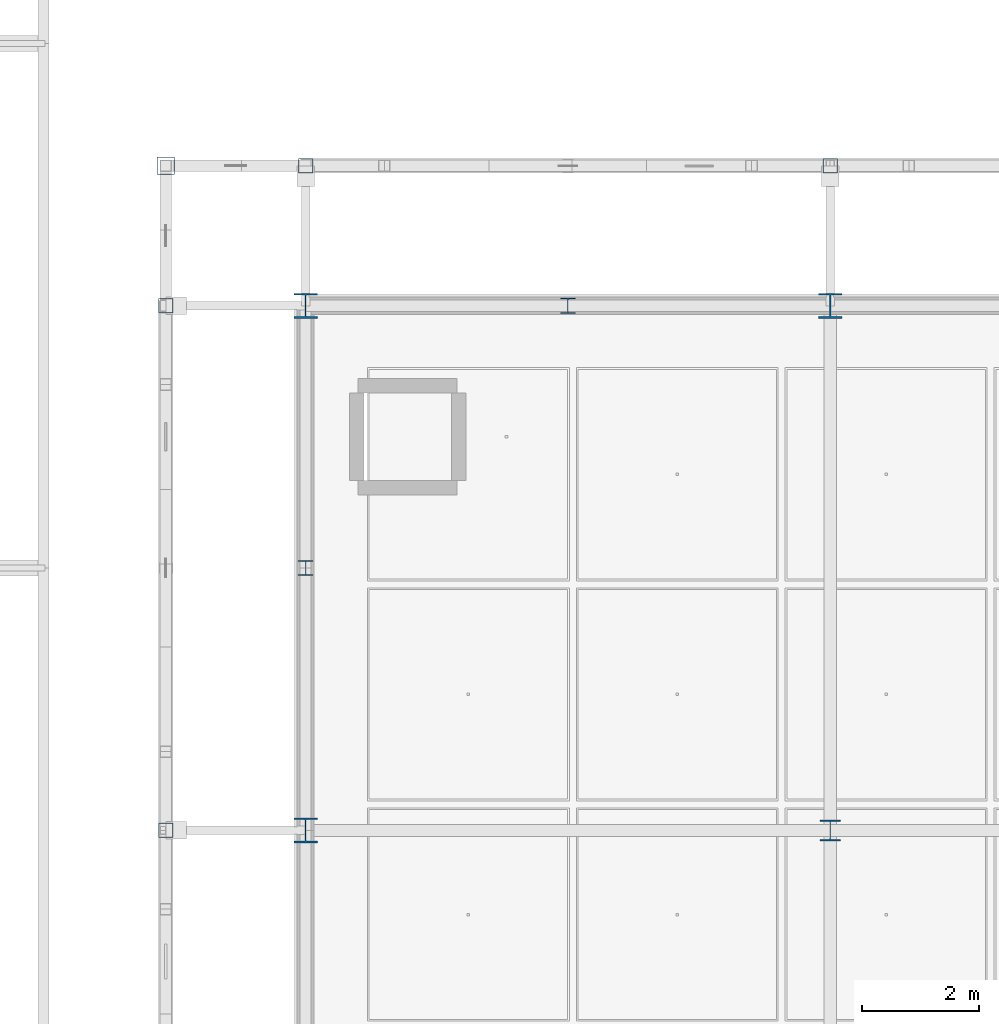
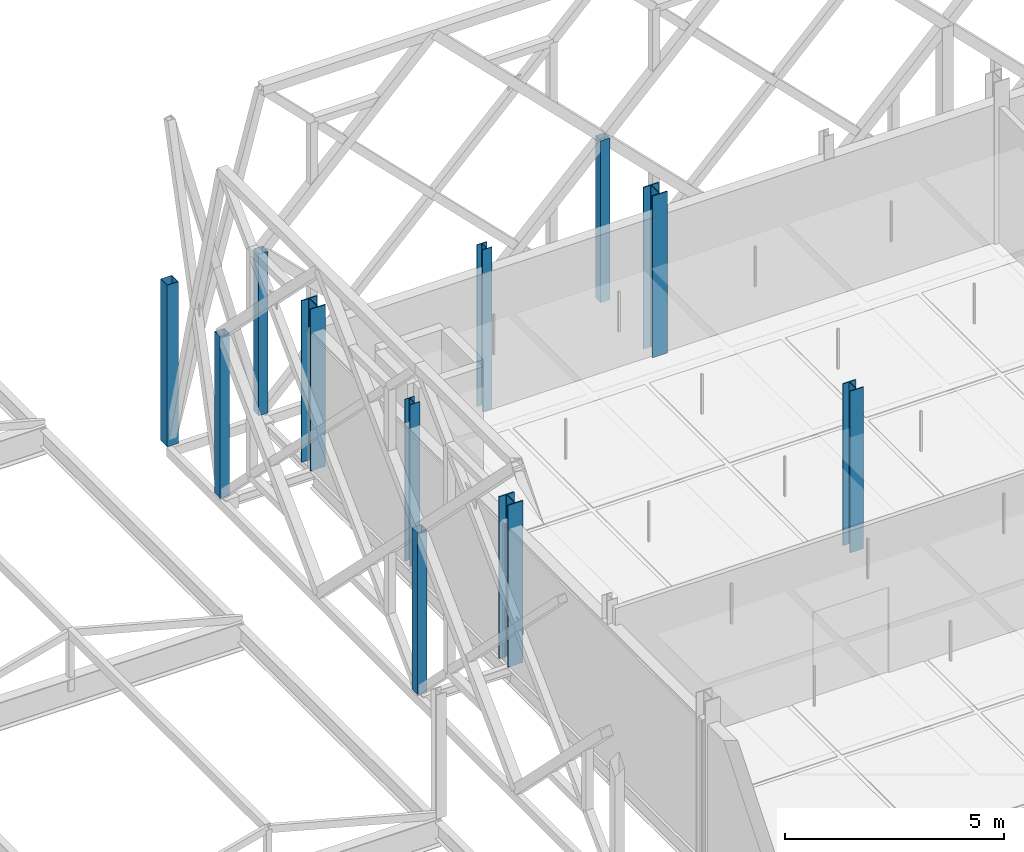
# One storey, part 4 of 140: 11 columns.
"""IFC4 building model written with IfcOpenShell, lengths in metres."""

import ifcopenshell
import ifcopenshell.guid

model = None  # the IFC model being written
_history = None  # IfcOwnerHistory: only IFC2X3 demands one
_inside = {}  # id of a spatial element -> (the spatial element, [elements in it])
_under = {}  # id of a project, library or spatial element -> (it, [spatial elements below it])
_declared = {}  # id of a project -> (the project, [libraries it declares])
_typed = {}  # id of a type object -> (the type object, [elements of that type])
_made_of = {}  # id of a material, layer set ... -> (it, [elements and type objects made of it])


def new_model(schema):
    """Start an empty IFC model of exactly this schema.

    Asked for "IFC4X3", IfcOpenShell would pick the latest addendum, in which some entities
    have other attributes; the version numbers below select the first issue.
    IFC2X3 requires an IfcOwnerHistory on every rooted entity: one is made here for all.
    """
    global model, _history
    if schema == "IFC4X3":
        model = ifcopenshell.file(schema_version=(4, 3, 0, 0))
    else:
        model = ifcopenshell.file(schema=schema)
    _inside.clear()
    _under.clear()
    _declared.clear()
    _typed.clear()
    _made_of.clear()
    _history = None
    if model.schema == "IFC2X3":
        org = make("IfcOrganization", Name="unknown")
        user = make(
            "IfcPersonAndOrganization",
            ThePerson=make("IfcPerson", FamilyName="unknown"),
            TheOrganization=org,
        )
        app = make(
            "IfcApplication",
            ApplicationDeveloper=org,
            Version="unknown",
            ApplicationFullName="unknown",
            ApplicationIdentifier="unknown",
        )
        _history = make(
            "IfcOwnerHistory",
            OwningUser=user,
            OwningApplication=app,
            ChangeAction="ADDED",
            CreationDate=0,
        )
    return model


def make(cls, **values):
    """One entity of the class cls with the attributes given. An attribute that is None is left unset."""
    return model.create_entity(
        cls, **{name: value for name, value in values.items() if value is not None}
    )


def rooted(cls, **values):
    """An entity with a GlobalId (a new one), such as an element, a storey or a relation."""
    return make(cls, GlobalId=ifcopenshell.guid.new(), OwnerHistory=_history, **values)


def si_unit(unit_type, name, prefix=None):
    """IfcSIUnit, for example si_unit("LENGTHUNIT", "METRE", prefix="MILLI")."""
    return make("IfcSIUnit", UnitType=unit_type, Prefix=prefix, Name=name)


def assignment(units):
    """IfcUnitAssignment: the units of a project."""
    return None if units is None else make("IfcUnitAssignment", Units=units)


def point(xyz):
    """IfcCartesianPoint."""
    return None if xyz is None else make("IfcCartesianPoint", Coordinates=xyz)


def direction(xyz):
    """IfcDirection."""
    return None if xyz is None else make("IfcDirection", DirectionRatios=xyz)


def frame(location, z_axis=None, x_axis=None):
    """IfcAxis2Placement3D, a coordinate frame: its origin and axes. An axis left out is left unset."""
    return make(
        "IfcAxis2Placement3D",
        Location=point(location),
        Axis=direction(z_axis),
        RefDirection=direction(x_axis),
    )


def frame_2d(location, x_axis=None):
    """IfcAxis2Placement2D, a coordinate frame in the plane: its origin and x axis."""
    return make(
        "IfcAxis2Placement2D", Location=point(location), RefDirection=direction(x_axis)
    )


def origin():
    """The frame at (0, 0, 0) with its axes left unset."""
    return frame((0.0, 0.0, 0.0))


def origin_2d():
    """The frame at (0, 0) in the plane with its x axis left unset."""
    return frame_2d((0.0, 0.0))


def place(relative_to, where):
    """IfcLocalPlacement: puts the frame where relative to a parent placement (None: the world)."""
    return make(
        "IfcLocalPlacement", PlacementRelTo=relative_to, RelativePlacement=where
    )


def context(
    kind, dimensions, precision=None, world=None, true_north=None, identifier=None
):
    """IfcGeometricRepresentationContext, for example the 3D "Model" context."""
    return make(
        "IfcGeometricRepresentationContext",
        ContextIdentifier=identifier,
        ContextType=kind,
        CoordinateSpaceDimension=dimensions,
        Precision=precision,
        WorldCoordinateSystem=world,
        TrueNorth=true_north,
    )


def subcontext(parent, identifier, kind, view, scale=None):
    """IfcGeometricRepresentationSubContext, for example "Body" below "Model"."""
    return make(
        "IfcGeometricRepresentationSubContext",
        ContextIdentifier=identifier,
        ContextType=kind,
        ParentContext=parent,
        TargetScale=scale,
        TargetView=view,
    )


def project(units=None, contexts=None):
    """IfcProject with its units and contexts."""
    return rooted(
        "IfcProject",
        Name="project",
        RepresentationContexts=contexts,
        UnitsInContext=assignment(units),
    )


def spatial(cls, under=None, at=None, **own):
    """A site, building, storey or space (cls), placed at a placement, below another one or the project."""
    s = rooted(cls, ObjectPlacement=at, **own)
    if under is not None:
        _under.setdefault(under.id(), (under, []))[1].append(s)
    return s


def profile(cls, at=None, kind="AREA", **sizes):
    """A parametric profile (cls). Its sizes go by their IFC names, for example OverallWidth=200.0."""
    return make(cls, ProfileType=kind, Position=at, **sizes)


def hollow_rectangle(**sizes):
    """IfcRectangleHollowProfileDef."""
    return profile("IfcRectangleHollowProfileDef", **sizes)


def i_section(**sizes):
    """IfcIShapeProfileDef."""
    return profile("IfcIShapeProfileDef", **sizes)


def extrude(swept, where, along, depth):
    """IfcExtrudedAreaSolid: the profile swept, set in the frame where, extruded along a direction by depth."""
    return make(
        "IfcExtrudedAreaSolid",
        SweptArea=swept,
        Position=where,
        ExtrudedDirection=direction(along),
        Depth=depth,
    )


def shape(context_of_items, identifier, shape_type, items):
    """IfcShapeRepresentation: the items that make up one representation, for example the "Body"."""
    return make(
        "IfcShapeRepresentation",
        ContextOfItems=context_of_items,
        RepresentationIdentifier=identifier,
        RepresentationType=shape_type,
        Items=items,
    )


def material(Name=None, Category=None):
    """IfcMaterial."""
    return make("IfcMaterial", Name=Name, Category=Category)


def material_profile(
    of_material, cross_section, Name=None, Category=None, Priority=None
):
    """IfcMaterialProfile: a cross section and its material."""
    return make(
        "IfcMaterialProfile",
        Name=Name,
        Material=of_material,
        Profile=cross_section,
        Priority=Priority,
        Category=Category,
    )


def profile_set(profiles, Name=None, composite=None):
    """IfcMaterialProfileSet."""
    return make(
        "IfcMaterialProfileSet",
        Name=Name,
        MaterialProfiles=profiles,
        CompositeProfile=composite,
    )


def made_of(thing, what):
    """Note that an element or type object is made of a material, layer set ...; save() writes the relation."""
    if what is not None:
        _made_of.setdefault(what.id(), (what, []))[1].append(thing)
    return thing


def type_object(cls, material=None, **own):
    """A type object (cls), such as IfcWallType, which elements share."""
    return made_of(rooted(cls, **own), material)


def element(
    cls,
    number,
    at=None,
    inside=None,
    cuts=None,
    type_object=None,
    material=None,
    context=None,
    identifier="Body",
    shape_type=None,
    held_by="IfcProductDefinitionShape",
    body=None,
    shapes=None,
    **own,
):
    """One element of the class cls, such as IfcWall. Its Tag is "e" and its number.

    at: its placement. inside: the storey or other place that contains it. cuts: it is an
    opening in that element (IfcRelVoidsElement). A single representation is given by context,
    identifier, shape_type and body (its items); several are given by shapes. held_by: the class
    of the entity that holds the representations. save() writes the other relations.
    """
    e = rooted(cls, Tag="e%d" % number, ObjectPlacement=at, **own)
    if body is not None:
        shapes = [shape(context, identifier, shape_type, body)]
    if shapes is not None:
        e.Representation = make(held_by, Representations=shapes)
    if inside is not None:
        _inside.setdefault(inside.id(), (inside, []))[1].append(e)
    if cuts is not None:
        rooted(
            "IfcRelVoidsElement", RelatingBuildingElement=cuts, RelatedOpeningElement=e
        )
    if type_object is not None:
        _typed.setdefault(type_object.id(), (type_object, []))[1].append(e)
    return made_of(e, material)


def aggregate(whole, parts):
    """IfcRelAggregates: a whole, such as a stair, and the parts it consists of."""
    return rooted("IfcRelAggregates", RelatingObject=whole, RelatedObjects=parts)


def save(model, path):
    """Write the relations noted so far, then the file.

    IfcRelAggregates (storeys below a building ...), IfcRelContainedInSpatialStructure (elements
    in a storey), IfcRelDefinesByType, IfcRelAssociatesMaterial and IfcRelDeclares: one each for
    every whole, place, type object, material and project.
    """
    for whole, parts in _under.values():
        aggregate(whole, parts)
    for where, things in _inside.values():
        rooted(
            "IfcRelContainedInSpatialStructure",
            RelatedElements=things,
            RelatingStructure=where,
        )
    for kind, things in _typed.values():
        rooted("IfcRelDefinesByType", RelatedObjects=things, RelatingType=kind)
    for what, things in _made_of.values():
        rooted("IfcRelAssociatesMaterial", RelatedObjects=things, RelatingMaterial=what)
    for by, libraries in _declared.values():
        rooted("IfcRelDeclares", RelatingContext=by, RelatedDefinitions=libraries)
    model.write(path)


model = new_model("IFC4")

# Units and contexts
model_context = context("Model", 3, precision=1e-05, world=origin(), true_north=direction((0.0, 1.0)))
body_context = subcontext(model_context, "Body", "Model", "MODEL_VIEW")
ifc_project = project(units=[si_unit("LENGTHUNIT", "METRE"), si_unit("AREAUNIT", "SQUARE_METRE"), si_unit("VOLUMEUNIT", "CUBIC_METRE"), si_unit("PLANEANGLEUNIT", "RADIAN"), si_unit("MASSUNIT", "GRAM", prefix="KILO"), si_unit("THERMODYNAMICTEMPERATUREUNIT", "KELVIN"), si_unit("POWERUNIT", "WATT")], contexts=[model_context])

# Site, building, storey
site_placement = place(None, origin())
site = spatial("IfcSite", under=ifc_project, at=site_placement, CompositionType="ELEMENT")
building_placement = place(site_placement, origin())
building = spatial("IfcBuilding", under=site, at=building_placement, Name="Tallowbark Science Centre", CompositionType="ELEMENT")
storey_placement = place(building_placement, frame((0.0, 0.0, 9.89990234375)))
storey = spatial("IfcBuildingStorey", under=building, at=storey_placement, Name="L02", CompositionType="ELEMENT", Elevation=9.89990234375)

# Columns
ifc_material_1 = material(Name="White Architectural Painted Steel Grade C350L0 (350 MPa)", Category="steel")
ifc_material_profile_1 = material_profile(ifc_material_1, hollow_rectangle(XDim=0.25, YDim=0.25, WallThickness=0.009033203125, at=origin_2d()), Name="250x250x9.0SHS")
ifc_profile_set_1 = profile_set([ifc_material_profile_1], Name="White Architectural Painted Steel Grade C350L0 (350 MPa)")
column_type_1 = type_object("IfcColumnType", Name="COL-SCR200", PredefinedType="COLUMN", material=ifc_profile_set_1)
for number, where, z_axis, x_axis, name in (
    (1, (58.5, 42.89990234375, 0.0), (0.0, 0.0, 1.0), (1.0, 0.0, 0.0), "Column SCR-N01 L02"),
    (2, (67.5, 42.89990234375, 0.0), (0.0, 0.0, 1.0), (1.0, 0.0, 0.0), "Column SCR-N02 L02"),
    (3, (56.10009765625, 31.5, 0.0), (0.0, 0.0, 1.0), (1.0, 0.0, 0.0), "Column SCR-W04 L02"),
    (4, (56.10009765625, 40.5, 0.0), (0.0, 0.0, 1.0), (1.0, 0.0, 0.0), "Column SCR-W05 L02"),
):
    element("IfcColumn", number, at=place(storey_placement, frame(where, z_axis=z_axis, x_axis=x_axis)), inside=storey, type_object=column_type_1, Name=name, PredefinedType="COLUMN", context=body_context, shape_type="SweptSolid", body=[
        extrude(hollow_rectangle(XDim=0.25, YDim=0.25, WallThickness=0.009033203125, at=origin_2d()), origin(), (0.0, 0.0, 1.0), 4.5),
    ])
ifc_material_profile_2 = material_profile(ifc_material_1, hollow_rectangle(XDim=0.300048828125, YDim=0.300048828125, WallThickness=0.010009765625, at=origin_2d()), Name="300x300x10.0SHS")
ifc_profile_set_2 = profile_set([ifc_material_profile_2], Name="White Architectural Painted Steel Grade C350L0 (350 MPa)")
column_type_2 = type_object("IfcColumnType", Name="COL-SCR300", PredefinedType="COLUMN", material=ifc_profile_set_2)
column_1_placement = place(storey_placement, frame((56.10009765625, 42.89990234375, 0.0), z_axis=(0.0, 0.0, 1.0), x_axis=(1.0, 0.0, 0.0)))
element("IfcColumn", 5, at=column_1_placement, inside=storey, type_object=column_type_2, Name="Column SCR-N00 L02", PredefinedType="COLUMN", context=body_context, shape_type="SweptSolid", body=[
    extrude(hollow_rectangle(XDim=0.300048828125, YDim=0.300048828125, WallThickness=0.010009765625, at=origin_2d()), origin(), (0.0, 0.0, 1.0), 4.5),
])
ifc_material_2 = material(Name="Structural Steel Grade 300PLUS (300 MPa)", Category="steel")
ifc_material_profile_3 = material_profile(ifc_material_2, i_section(OverallWidth=0.35009765625, OverallDepth=0.35888671875, WebThickness=0.01611328125, FlangeThickness=0.02392578125, FilletRadius=0.013916015625, at=origin_2d()), Name="350WC197")
ifc_profile_set_3 = profile_set([ifc_material_profile_3], Name="Structural Steel Grade 300PLUS (300 MPa)")
column_type_3 = type_object("IfcColumnType", Name="COL-WC350", PredefinedType="COLUMN", material=ifc_profile_set_3)
column_2_placement = place(storey_placement, frame((67.5, 31.5, 0.0), z_axis=(0.0, 0.0, 1.0), x_axis=(1.0, 0.0, 0.0)))
element("IfcColumn", 6, at=column_2_placement, inside=storey, type_object=column_type_3, Name="Column CUB-M1_3 L02", PredefinedType="COLUMN", context=body_context, shape_type="SweptSolid", body=[
    extrude(i_section(OverallWidth=0.35009765625, OverallDepth=0.35888671875, WebThickness=0.01611328125, FlangeThickness=0.02392578125, FilletRadius=0.013916015625, at=origin_2d()), origin(), (0.0, 0.0, 1.0), 4.5),
])
ifc_material_profile_4 = material_profile(ifc_material_2, i_section(OverallWidth=0.39990234375, OverallDepth=0.427978515625, WebThickness=0.02001953125, FlangeThickness=0.028076171875, FilletRadius=0.01611328125, at=origin_2d()), Name="400WC270")
ifc_profile_set_4 = profile_set([ifc_material_profile_4], Name="Structural Steel Grade 300PLUS (300 MPa)")
column_type_4 = type_object("IfcColumnType", Name="COL-WC400", PredefinedType="COLUMN", material=ifc_profile_set_4)
for number, where, z_axis, x_axis, name in (
    (7, (58.5, 31.5, 0.0), (0.0, 0.0, 1.0), (1.0, 0.0, 0.0), "Column CUB-M0_3 L02"),
    (8, (58.5, 40.5, 0.0), (0.0, 0.0, 1.0), (1.0, 0.0, 0.0), "Column CUB-M0_4 L02"),
    (9, (67.5, 40.5, 0.0), (0.0, 0.0, 1.0), (1.0, 0.0, 0.0), "Column CUB-M1_4 L02"),
):
    element("IfcColumn", number, at=place(storey_placement, frame(where, z_axis=z_axis, x_axis=x_axis)), inside=storey, type_object=column_type_4, Name=name, PredefinedType="COLUMN", context=body_context, shape_type="SweptSolid", body=[
        extrude(i_section(OverallWidth=0.39990234375, OverallDepth=0.427978515625, WebThickness=0.02001953125, FlangeThickness=0.028076171875, FilletRadius=0.01611328125, at=origin_2d()), origin(), (0.0, 0.0, 1.0), 4.5),
    ])
ifc_material_profile_5 = material_profile(ifc_material_2, i_section(OverallWidth=0.256103515625, OverallDepth=0.260009765625, WebThickness=0.010498046875, FlangeThickness=0.017333984375, FilletRadius=0.013916015625, at=origin_2d()), Name="250UC89.5")
ifc_profile_set_5 = profile_set([ifc_material_profile_5], Name="Structural Steel Grade 300PLUS (300 MPa)")
column_type_5 = type_object("IfcColumnType", Name="PIL-UC250", PredefinedType="PILASTER", material=ifc_profile_set_5)
for number, where, z_axis, x_axis, name in (
    (10, (63.0, 40.5, 0.0), (0.0, 0.0, 1.0), (1.0, 0.0, 0.0), "Column CUB-PN-0 L02"),
    (11, (58.5, 36.0, 0.0), (0.0, 0.0, 1.0), (1.0, 0.0, 0.0), "Column CUB-PW-3 L02"),
):
    element("IfcColumn", number, at=place(storey_placement, frame(where, z_axis=z_axis, x_axis=x_axis)), inside=storey, type_object=column_type_5, Name=name, PredefinedType="PILASTER", context=body_context, shape_type="SweptSolid", body=[
        extrude(i_section(OverallWidth=0.256103515625, OverallDepth=0.260009765625, WebThickness=0.010498046875, FlangeThickness=0.017333984375, FilletRadius=0.013916015625, at=origin_2d()), origin(), (0.0, 0.0, 1.0), 4.5),
    ])

save(model, "model.ifc")
